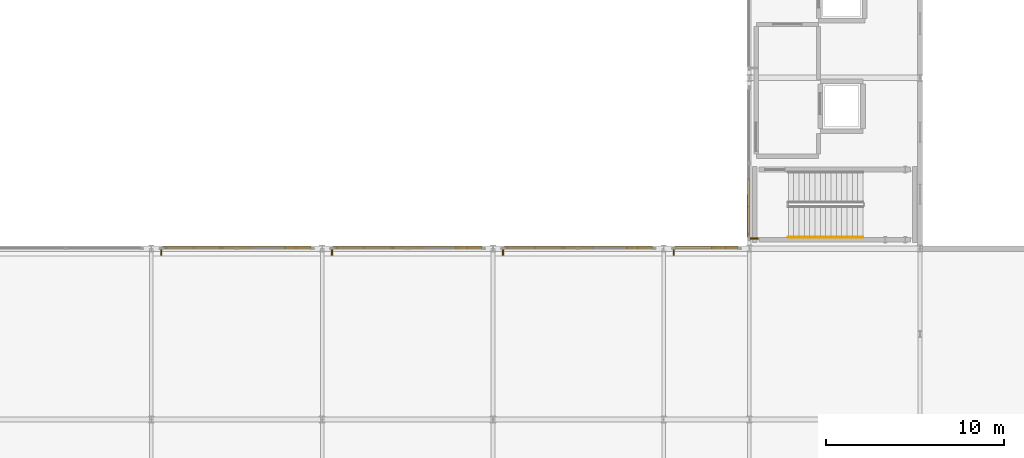
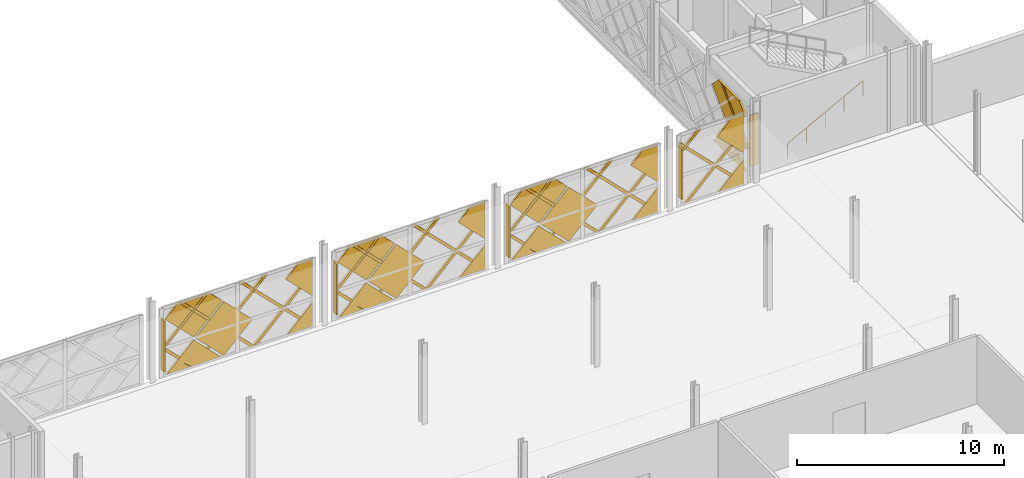
# One storey, part 60 of 77: 42 coverings, 5 shading devices, 1 railing.
"""IFC4 building model written with IfcOpenShell, lengths in metres."""

from ifc_helpers import new_model, si_unit, direction, frame, origin, origin_2d, place, context, subcontext, project, spatial, polyline, rectangle, circle, outline, extrude, material, layer, layer_set, type_object, element, save


model = new_model("IFC4")

# Units and contexts
model_context = context("Model", 3, precision=1e-05, world=origin(), true_north=direction((0.0, 1.0)))
body_context = subcontext(model_context, "Body", "Model", "MODEL_VIEW")
ifc_project = project(units=[si_unit("LENGTHUNIT", "METRE"), si_unit("AREAUNIT", "SQUARE_METRE"), si_unit("VOLUMEUNIT", "CUBIC_METRE"), si_unit("PLANEANGLEUNIT", "RADIAN"), si_unit("MASSUNIT", "GRAM", prefix="KILO")], contexts=[model_context])

# Site, building, storey
site_placement = place(None, origin())
site = spatial("IfcSite", under=ifc_project, at=site_placement, CompositionType="ELEMENT")
building_placement = place(site_placement, origin())
building = spatial("IfcBuilding", under=site, at=building_placement, Name="Zevrakil Square Congress Hotel", CompositionType="ELEMENT")
storey_placement = place(building_placement, frame((0.0, 0.0, 9.89990234375)))
storey = spatial("IfcBuildingStorey", under=building, at=storey_placement, Name="L03", CompositionType="ELEMENT", Elevation=9.89990234375)

# Coverings
ifc_material_1 = material(Name="Architectural White Fibre-C GRC", Category="concrete")
ifc_layer_1 = layer(ifc_material_1, 0.06494140625)
ifc_layer_set_1 = layer_set([ifc_layer_1], Name="Architectural White Fibre-C GRC")
covering_type_1 = type_object("IfcCoveringType", Name="COV-DIA-WHITE", PredefinedType="CLADDING", material=ifc_layer_set_1)
covering_1_placement = place(storey_placement, frame((81.969970703125, 45.695068359375, 0.080078125), z_axis=(0.0, 0.999999760125, 0.000692640526), x_axis=(1.0, 0.0, 0.0)))
element("IfcCovering", 1, at=covering_1_placement, inside=storey, type_object=covering_type_1, Name="L03 45-degree white GRC diamond facade cassette 1565", PredefinedType="CLADDING", context=body_context, shape_type="SweptSolid", body=[
    extrude(outline(polyline([(0.0, 0.0), (1.409912109375, 0.0), (1.409912109375, -1.4099124475784228), (0.0, 0.0)])), origin(), (0.0, 0.0, -1.0), 0.1201171875),
])
covering_2_placement = place(storey_placement, frame((76.760009765625, 45.694091796875, 1.590087890625), z_axis=(0.0, 0.999999790873, 0.000646725815), x_axis=(-0.707106707249, 0.000457304257, -0.707106707249)))
element("IfcCovering", 2, at=covering_2_placement, inside=storey, type_object=covering_type_1, Name="L03 45-degree white GRC diamond facade cassette 1566", PredefinedType="CLADDING", context=body_context, shape_type="SweptSolid", body=[
    extrude(outline(polyline([(0.0, 0.0), (2.1354765131557993, 0.0), (4.465861884739297e-07, -2.1354765131557527), (0.0, 0.0)])), origin(), (0.0, 0.0, -1.0), 0.1201171875),
])
covering_3_placement = place(storey_placement, frame((78.43994140625, 45.693115234375, 3.27001953125), z_axis=(0.0, 0.999999855586, 0.000537427945), x_axis=(-0.707106715531, 0.00038001898, -0.707106744725)))
element("IfcCovering", 3, at=covering_3_placement, inside=storey, type_object=covering_type_1, Name="L03 45-degree white GRC diamond facade cassette 1567", PredefinedType="CLADDING", context=body_context, shape_type="SweptSolid", body=[
    extrude(outline(polyline([(0.0, 0.0), (2.2483788020672284, 0.0), (2.248551760297992, -2.2485513427396766), (-0.00017221594923522154, -2.2485514355747194), (0.0, 0.0)])), origin(), (0.0, 0.0, -1.0), 0.1201171875),
])
covering_4_placement = place(storey_placement, frame((81.889892578125, 45.693115234375, 3.360107421875), z_axis=(6.8463888e-05, 0.999999818345, 0.00059885107), x_axis=(0.707106740618, 0.000375040409, -0.707106722297)))
element("IfcCovering", 4, at=covering_4_placement, inside=storey, type_object=covering_type_1, Name="L03 45-degree white GRC diamond facade cassette 1568", PredefinedType="CLADDING", context=body_context, shape_type="SweptSolid", body=[
    extrude(outline(polyline([(0.0, 0.0), (2.1071645237524566, 0.0), (0.597484308495914, -1.509680043501462), (-1.7130816543087235e-07, -0.9121954979388295), (0.0, 0.0)])), origin(), (0.0, 0.0, -1.0), 0.1201171875),
])
covering_5_placement = place(storey_placement, frame((75.169921875, 45.693115234375, 3.360107421875), z_axis=(0.0, 0.999999833524, 0.000577020187), x_axis=(0.707106746075, 0.000408014907, -0.707106698581)))
element("IfcCovering", 5, at=covering_5_placement, inside=storey, type_object=covering_type_1, Name="L03 45-degree white GRC diamond facade cassette 1569", PredefinedType="CLADDING", context=body_context, shape_type="SweptSolid", body=[
    extrude(outline(polyline([(0.0, 0.0), (2.2487239719466743, -2.220446049250313e-16), (2.248723748627534, -2.2487239719466636), (1.3365282562416159, -2.2487240499485552), (-1.6859136209301795e-07, -0.9121954923859064), (0.0, 0.0)])), origin(), (0.0, 0.0, -1.0), 0.1201171875),
])
covering_6_placement = place(storey_placement, frame((91.570068359375, 45.695068359375, 0.080078125), z_axis=(0.0, 0.999999760125, 0.000692640526), x_axis=(1.0, 0.0, 0.0)))
element("IfcCovering", 6, at=covering_6_placement, inside=storey, type_object=covering_type_1, Name="L03 45-degree white GRC diamond facade cassette 1607", PredefinedType="CLADDING", context=body_context, shape_type="SweptSolid", body=[
    extrude(outline(polyline([(0.0, 0.0), (1.409912109375, 0.0), (1.409912109375, -1.4099124475784228), (0.0, 0.0)])), origin(), (0.0, 0.0, -1.0), 0.1201171875),
])
covering_7_placement = place(storey_placement, frame((86.360107421875, 45.694091796875, 1.590087890625), z_axis=(0.0, 0.999999790873, 0.000646725815), x_axis=(-0.707106707249, 0.000457304257, -0.707106707249)))
element("IfcCovering", 7, at=covering_7_placement, inside=storey, type_object=covering_type_1, Name="L03 45-degree white GRC diamond facade cassette 1608", PredefinedType="CLADDING", context=body_context, shape_type="SweptSolid", body=[
    extrude(outline(polyline([(0.0, 0.0), (2.1354765131557993, 0.0), (4.465861884739297e-07, -2.1354765131557527), (0.0, 0.0)])), origin(), (0.0, 0.0, -1.0), 0.1201171875),
])
covering_8_placement = place(storey_placement, frame((88.0400390625, 45.693115234375, 3.27001953125), z_axis=(0.0, 0.999999855586, 0.000537427945), x_axis=(-0.707161001881, 0.000379989803, -0.707052454226)))
element("IfcCovering", 8, at=covering_8_placement, inside=storey, type_object=covering_type_1, Name="L03 45-degree white GRC diamond facade cassette 1609", PredefinedType="CLADDING", context=body_context, shape_type="SweptSolid", body=[
    extrude(outline(polyline([(0.0, 0.0), (2.2485514421697053, 2.220446049250313e-16), (2.2483791201710894, -2.248723969644624), (-0.00017220272677631598, -2.248378795472748), (0.0, 0.0)])), origin(), (0.0, 0.0, -1.0), 0.1201171875),
])
covering_9_placement = place(storey_placement, frame((91.489990234375, 45.693115234375, 3.360107421875), z_axis=(6.8463888e-05, 0.999999818345, 0.00059885107), x_axis=(0.707106740618, 0.000375040409, -0.707106722297)))
element("IfcCovering", 9, at=covering_9_placement, inside=storey, type_object=covering_type_1, Name="L03 45-degree white GRC diamond facade cassette 1610", PredefinedType="CLADDING", context=body_context, shape_type="SweptSolid", body=[
    extrude(outline(polyline([(0.0, 0.0), (2.1071645237524566, 0.0), (0.597484308495914, -1.509680043501462), (-1.7130816543087235e-07, -0.9121954979388295), (0.0, 0.0)])), origin(), (0.0, 0.0, -1.0), 0.1201171875),
])
covering_10_placement = place(storey_placement, frame((84.77001953125, 45.693115234375, 3.360107421875), z_axis=(0.0, 0.999999833525, 0.000577018806), x_axis=(0.707106746075, 0.000408013931, -0.707106698582)))
element("IfcCovering", 10, at=covering_10_placement, inside=storey, type_object=covering_type_1, Name="L03 45-degree white GRC diamond facade cassette 1611", PredefinedType="CLADDING", context=body_context, shape_type="SweptSolid", body=[
    extrude(outline(polyline([(0.0, 0.0), (2.2487239719468546, -4.440892098500626e-16), (2.248551115144425, -2.2485513384467715), (1.33635562275862, -2.2485514164484766), (-1.6859132201396676e-07, -0.9121954923857929), (0.0, 0.0)])), origin(), (0.0, 0.0, -1.0), 0.1201171875),
])
covering_11_placement = place(storey_placement, frame((101.169921875, 45.695068359375, 0.080078125), z_axis=(0.0, 0.999999760125, 0.000692640526), x_axis=(1.0, 0.0, 0.0)))
element("IfcCovering", 11, at=covering_11_placement, inside=storey, type_object=covering_type_1, Name="L03 45-degree white GRC diamond facade cassette 1649", PredefinedType="CLADDING", context=body_context, shape_type="SweptSolid", body=[
    extrude(outline(polyline([(0.0, 0.0), (1.41015625, 0.0), (1.41015625, -1.4099124475784226), (0.0, 0.0)])), origin(), (0.0, 0.0, -1.0), 0.1201171875),
])
covering_12_placement = place(storey_placement, frame((95.9599609375, 45.694091796875, 1.590087890625), z_axis=(0.0, 0.999999790873, 0.000646725815), x_axis=(-0.707106707249, 0.000457304257, -0.707106707249)))
element("IfcCovering", 12, at=covering_12_placement, inside=storey, type_object=covering_type_1, Name="L03 45-degree white GRC diamond facade cassette 1650", PredefinedType="CLADDING", context=body_context, shape_type="SweptSolid", body=[
    extrude(outline(polyline([(0.0, 0.0), (2.1354765131557993, 0.0), (4.465861884739297e-07, -2.1354765131557527), (0.0, 0.0)])), origin(), (0.0, 0.0, -1.0), 0.1201171875),
])
covering_13_placement = place(storey_placement, frame((97.639892578125, 45.693115234375, 3.27001953125), z_axis=(0.0, 0.999999855586, 0.000537427945), x_axis=(-0.707106715531, 0.00038001898, -0.707106744725)))
element("IfcCovering", 13, at=covering_13_placement, inside=storey, type_object=covering_type_1, Name="L03 45-degree white GRC diamond facade cassette 1651", PredefinedType="CLADDING", context=body_context, shape_type="SweptSolid", body=[
    extrude(outline(polyline([(0.0, 0.0), (2.2483788020672284, 0.0), (2.248551760297992, -2.2485513427396766), (-0.00017221594923522154, -2.2485514355747194), (0.0, 0.0)])), origin(), (0.0, 0.0, -1.0), 0.1201171875),
])
covering_14_placement = place(storey_placement, frame((101.090087890625, 45.693115234375, 3.360107421875), z_axis=(6.8463888e-05, 0.999999818345, 0.00059885107), x_axis=(0.707106740618, 0.000375040409, -0.707106722297)))
element("IfcCovering", 14, at=covering_14_placement, inside=storey, type_object=covering_type_1, Name="L03 45-degree white GRC diamond facade cassette 1652", PredefinedType="CLADDING", context=body_context, shape_type="SweptSolid", body=[
    extrude(outline(polyline([(0.0, 0.0), (2.1071645237524566, 0.0), (0.597484308495914, -1.509680043501462), (-1.7130816543087235e-07, -0.9121954979388295), (0.0, 0.0)])), origin(), (0.0, 0.0, -1.0), 0.1201171875),
])
covering_15_placement = place(storey_placement, frame((94.3701171875, 45.693115234375, 3.360107421875), z_axis=(0.0, 0.999999833523, 0.00057702221), x_axis=(0.70705245556, 0.000408047662, -0.707160984913)))
element("IfcCovering", 15, at=covering_15_placement, inside=storey, type_object=covering_type_1, Name="L03 45-degree white GRC diamond facade cassette 1653", PredefinedType="CLADDING", context=body_context, shape_type="SweptSolid", body=[
    extrude(outline(polyline([(0.0, 0.0), (2.248551345090487, -2.220446049250313e-16), (2.248378475018303, -2.248723965301739), (1.336182985314683, -2.248654009101241), (-0.00024282302249201138, -0.9120228429311016), (0.0, 0.0)])), origin(), (0.0, 0.0, -1.0), 0.1201171875),
])
covering_16_placement = place(storey_placement, frame((105.969970703125, 45.695068359375, 0.080078125), z_axis=(0.0, 0.999999760125, 0.000692640526), x_axis=(1.0, 0.0, 0.0)))
element("IfcCovering", 16, at=covering_16_placement, inside=storey, type_object=covering_type_1, Name="L03 45-degree white GRC diamond facade cassette 1686", PredefinedType="CLADDING", context=body_context, shape_type="SweptSolid", body=[
    extrude(outline(polyline([(0.0, 0.0), (1.409912109375, 0.0), (1.409912109375, -1.4099124475784228), (0.0, 0.0)])), origin(), (0.0, 0.0, -1.0), 0.1201171875),
])
covering_17_placement = place(storey_placement, frame((105.889892578125, 45.693115234375, 3.360107421875), z_axis=(0.0001333161, 0.999999753865, 0.000688837778), x_axis=(0.707106745224, 0.000392813197, -0.707106708041)))
element("IfcCovering", 17, at=covering_17_placement, inside=storey, type_object=covering_type_1, Name="L03 45-degree white GRC diamond facade cassette 1687", PredefinedType="CLADDING", context=body_context, shape_type="SweptSolid", body=[
    extrude(outline(polyline([(0.0, 0.0), (2.1071645223915034, 0.0), (0.5056432119975224, -1.6015211579884738), (0.0001723745911993424, -1.0960502781509818), (0.0, 0.0)])), origin(), (0.0, 0.0, -1.0), 0.1201171875),
])
covering_18_placement = place(storey_placement, frame((107.906005859375, 47.9599609375, 1.590087890625), z_axis=(-0.999999790873, 0.0, 0.000646725815), x_axis=(-0.000457304257, -0.707106707249, -0.707106707249)))
element("IfcCovering", 18, at=covering_18_placement, inside=storey, type_object=covering_type_1, Name="L03 45-degree white GRC diamond facade cassette 1759", PredefinedType="CLADDING", context=body_context, shape_type="SweptSolid", body=[
    extrude(outline(polyline([(0.0, 0.0), (2.1354765131557993, 0.0), (4.465861884739297e-07, -2.1354765131557527), (0.0, 0.0)])), origin(), (0.0, 0.0, -1.0), 0.1201171875),
])
covering_19_placement = place(storey_placement, frame((107.906982421875, 46.3701171875, 3.360107421875), z_axis=(-0.999999757162, 0.0, 0.000696904836), x_axis=(-0.000492824013, 0.707052425202, -0.707160961268)))
element("IfcCovering", 19, at=covering_19_placement, inside=storey, type_object=covering_type_1, Name="L03 45-degree white GRC diamond facade cassette 1762", PredefinedType="CLADDING", context=body_context, shape_type="SweptSolid", body=[
    extrude(outline(polyline([(0.0, 0.0), (2.248551441637028, -2.220446049250313e-16), (2.2483783784791886, -2.248724061826017), (1.421118549468344, -2.2486606121765194), (-6.372999569886906e-05, -0.827259828989295), (0.0, 0.0)])), origin(), (0.0, 0.0, -1.0), 0.1201171875),
])
ifc_material_2 = material(Name="Anodised Champagne Aluminium", Category="aluminium")
ifc_layer_2 = layer(ifc_material_2, 0.0849609375)
ifc_layer_set_2 = layer_set([ifc_layer_2], Name="Anodised Champagne Aluminium")
covering_type_2 = type_object("IfcCoveringType", Name="COV-DIAGRID-45", PredefinedType="MOLDING", material=ifc_layer_set_2)
covering_20_placement = place(storey_placement, frame((83.2939453125, 45.719970703125, 0.080078125), z_axis=(-0.000186814305, 0.999999885222, 0.000441199743), x_axis=(0.99999998255, 0.000186814287, 8.2422e-08)))
element("IfcCovering", 20, at=covering_20_placement, inside=storey, type_object=covering_type_2, Name="L03 45-degree aluminium diagrid rib 1570", PredefinedType="MOLDING", context=body_context, shape_type="SweptSolid", body=[
    extrude(outline(polyline([(0.0, 0.0), (0.08593749850040845, 0.0), (0.08593750890382487, -0.12622069084011384), (-3.7128906927883554, -3.9250495232532634), (-3.9250488922112385, -3.9250495232532634), (0.0, 0.0)])), origin(), (0.0, 0.0, -1.0), 0.14501953125),
])
covering_21_placement = place(storey_placement, frame((79.933837890625, 45.719970703125, 0.080078125), z_axis=(0.0, 0.999999806554, 0.000622006473), x_axis=(1.0, 0.0, 0.0)))
element("IfcCovering", 21, at=covering_21_placement, inside=storey, type_object=covering_type_2, Name="L03 45-degree aluminium diagrid rib 1571", PredefinedType="MOLDING", context=body_context, shape_type="SweptSolid", body=[
    extrude(outline(polyline([(0.0, 0.0), (0.212158203125, 0.0), (-3.712646484375, -3.9250495874103186), (-3.925048828125, -3.9250495874103186), (0.0, 0.0)])), origin(), (0.0, 0.0, -1.0), 0.14501953125),
])
covering_22_placement = place(storey_placement, frame((76.573974609375, 45.719970703125, 0.080078125), z_axis=(-0.000294139249, 0.999999913482, 0.000294139249), x_axis=(0.999999956741, 0.000294139237, 8.6518e-08)))
element("IfcCovering", 22, at=covering_22_placement, inside=storey, type_object=covering_type_2, Name="L03 45-degree aluminium diagrid rib 1572", PredefinedType="MOLDING", context=body_context, shape_type="SweptSolid", body=[
    extrude(outline(polyline([(0.0, 0.0), (0.2121581939472589, 0.0), (-1.553955145347468, -1.7661134920951609), (-1.5539551637029505, -1.5539552981479028), (0.0, 0.0)])), origin(), (0.0, 0.0, -1.0), 0.14501953125),
])
covering_23_placement = place(storey_placement, frame((83.3798828125, 45.718017578125, 3.154052734375), z_axis=(0.000307101698, 0.999999905689, 0.000307101698), x_axis=(-9.4311e-08, -0.000307101684, 0.999999952844)))
element("IfcCovering", 23, at=covering_23_placement, inside=storey, type_object=covering_type_2, Name="L03 45-degree aluminium diagrid rib 1573", PredefinedType="MOLDING", context=body_context, shape_type="SweptSolid", body=[
    extrude(outline(polyline([(0.0, 0.0), (0.21215819312052556, 2.8078904387053947e-24), (-3.073974754330517, -3.285889116734547), (-3.073974774339466, -3.0737309236140224), (0.0, 0.0)])), origin(), (0.0, 0.0, -1.0), 0.14501953125),
])
covering_24_placement = place(storey_placement, frame((80.87109375, 45.717529296875, 4.005126953125), z_axis=(0.0, 0.999999806554, 0.000622006473), x_axis=(-1.0, 0.0, 0.0)))
element("IfcCovering", 24, at=covering_24_placement, inside=storey, type_object=covering_type_2, Name="L03 45-degree aluminium diagrid rib 1574", PredefinedType="MOLDING", context=body_context, shape_type="SweptSolid", body=[
    extrude(outline(polyline([(0.0, 0.0), (0.212158203125, 0.0), (4.13720703125, -3.9250495874103186), (3.925048828125, -3.9250495874103186), (0.0, 0.0)])), origin(), (0.0, 0.0, -1.0), 0.14501953125),
])
covering_25_placement = place(storey_placement, frame((77.510986328125, 45.717529296875, 4.005126953125), z_axis=(0.0003072783, 0.999999905689, 0.000306925106), x_axis=(-0.99999995279, 0.000307278285, 9.4311e-08)))
element("IfcCovering", 25, at=covering_25_placement, inside=storey, type_object=covering_type_2, Name="L03 45-degree aluminium diagrid rib 1575", PredefinedType="MOLDING", context=body_context, shape_type="SweptSolid", body=[
    extrude(outline(polyline([(0.0, 0.0), (0.21215819310901593, -2.8078904387053947e-24), (2.4909669144734927, -2.2788089360120054), (2.490966894441524, -2.491211269757533), (0.0, 0.0)])), origin(), (0.0, 0.0, -1.0), 0.14501953125),
])
covering_26_placement = place(storey_placement, frame((92.893798828125, 45.719970703125, 0.080078125), z_axis=(-0.000186705842, 0.999999885196, 0.000441304718), x_axis=(0.99999998257, 0.000186705824, 8.2394e-08)))
element("IfcCovering", 26, at=covering_26_placement, inside=storey, type_object=covering_type_2, Name="L03 45-degree aluminium diagrid rib 1612", PredefinedType="MOLDING", context=body_context, shape_type="SweptSolid", body=[
    extrude(outline(polyline([(0.0, 0.0), (0.086181639122894, -2.2812090330563966e-24), (0.08618164952274412, -0.12622069083426724), (-3.7126465520889185, -3.92504952332774), (-3.9248047515160995, -3.92504952332774), (0.0, 0.0)])), origin(), (0.0, 0.0, -1.0), 0.14501953125),
])
covering_27_placement = place(storey_placement, frame((89.533935546875, 45.719970703125, 0.080078125), z_axis=(0.0, 0.999999806554, 0.000622006473), x_axis=(1.0, 0.0, 0.0)))
element("IfcCovering", 27, at=covering_27_placement, inside=storey, type_object=covering_type_2, Name="L03 45-degree aluminium diagrid rib 1613", PredefinedType="MOLDING", context=body_context, shape_type="SweptSolid", body=[
    extrude(outline(polyline([(0.0, 0.0), (0.212158203125, 0.0), (-3.712890625, -3.9250495874103186), (-3.925048828125, -3.9250495874103186), (0.0, 0.0)])), origin(), (0.0, 0.0, -1.0), 0.14501953125),
])
covering_28_placement = place(storey_placement, frame((86.173828125, 45.719970703125, 0.080078125), z_axis=(-0.000294160881, 0.999999913469, 0.000294160881), x_axis=(0.999999956735, 0.000294160868, 8.6531e-08)))
element("IfcCovering", 28, at=covering_28_placement, inside=storey, type_object=covering_type_2, Name="L03 45-degree aluminium diagrid rib 1614", PredefinedType="MOLDING", context=body_context, shape_type="SweptSolid", body=[
    extrude(outline(polyline([(0.0, 0.0), (0.21215819394590898, 2.8078904387053947e-24), (-1.5537110047217924, -1.7661134921050472), (-1.5537110230799749, -1.5539552981591391), (0.0, 0.0)])), origin(), (0.0, 0.0, -1.0), 0.14501953125),
])
covering_29_placement = place(storey_placement, frame((92.97998046875, 45.718017578125, 3.154052734375), z_axis=(0.00030708991, 0.999999905696, 0.00030708991), x_axis=(-9.4304e-08, -0.000307089896, 0.999999952848)))
element("IfcCovering", 29, at=covering_29_placement, inside=storey, type_object=covering_type_2, Name="L03 45-degree aluminium diagrid rib 1615", PredefinedType="MOLDING", context=body_context, shape_type="SweptSolid", body=[
    extrude(outline(polyline([(0.0, 0.0), (0.2121581931212936, 0.0), (-3.0739747543193885, -3.2861332573369064), (-3.073974774326802, -3.0739750642156136), (0.0, 0.0)])), origin(), (0.0, 0.0, -1.0), 0.14501953125),
])
covering_30_placement = place(storey_placement, frame((90.47119140625, 45.717529296875, 4.005126953125), z_axis=(0.0, 0.999999806554, 0.000622006473), x_axis=(-1.0, 0.0, 0.0)))
element("IfcCovering", 30, at=covering_30_placement, inside=storey, type_object=covering_type_2, Name="L03 45-degree aluminium diagrid rib 1616", PredefinedType="MOLDING", context=body_context, shape_type="SweptSolid", body=[
    extrude(outline(polyline([(0.0, 0.0), (0.21240234375, 0.0), (4.13720703125, -3.9250495874103186), (3.925048828125, -3.9250495874103186), (0.0, 0.0)])), origin(), (0.0, 0.0, -1.0), 0.14501953125),
])
covering_31_placement = place(storey_placement, frame((87.111083984375, 45.717529296875, 4.005126953125), z_axis=(0.0003072783, 0.999999905689, 0.000306925106), x_axis=(-0.99999995279, 0.000307278285, 9.4311e-08)))
element("IfcCovering", 31, at=covering_31_placement, inside=storey, type_object=covering_type_2, Name="L03 45-degree aluminium diagrid rib 1617", PredefinedType="MOLDING", context=body_context, shape_type="SweptSolid", body=[
    extrude(outline(polyline([(0.0, 0.0), (0.21215819310901593, -2.8078904387053947e-24), (2.4909669144734927, -2.2788089360120054), (2.490966894441524, -2.491211269757533), (0.0, 0.0)])), origin(), (0.0, 0.0, -1.0), 0.14501953125),
])
covering_32_placement = place(storey_placement, frame((102.493896484375, 45.719970703125, 0.080078125), z_axis=(-0.000186702356, 0.9999998852, 0.000441296479), x_axis=(0.999999982571, 0.000186702338, 8.2391e-08)))
element("IfcCovering", 32, at=covering_32_placement, inside=storey, type_object=covering_type_2, Name="L03 45-degree aluminium diagrid rib 1654", PredefinedType="MOLDING", context=body_context, shape_type="SweptSolid", body=[
    extrude(outline(polyline([(0.0, 0.0), (0.08618163912295008, 0.0), (0.08618164952241188, -0.12622069083472615), (-3.712890692715645, -3.9250495233218956), (-3.9250488921429643, -3.9250495233218956), (0.0, 0.0)])), origin(), (0.0, 0.0, -1.0), 0.14501953125),
])
covering_33_placement = place(storey_placement, frame((99.1337890625, 45.719970703125, 0.080078125), z_axis=(0.0, 0.999999806554, 0.000622006473), x_axis=(1.0, 0.0, 0.0)))
element("IfcCovering", 33, at=covering_33_placement, inside=storey, type_object=covering_type_2, Name="L03 45-degree aluminium diagrid rib 1655", PredefinedType="MOLDING", context=body_context, shape_type="SweptSolid", body=[
    extrude(outline(polyline([(0.0, 0.0), (0.21240234375, 0.0), (-3.712646484375, -3.9250495874103186), (-3.9248046875, -3.9250495874103186), (0.0, 0.0)])), origin(), (0.0, 0.0, -1.0), 0.14501953125),
])
covering_34_placement = place(storey_placement, frame((95.77392578125, 45.719970703125, 0.080078125), z_axis=(-0.000294139249, 0.999999913482, 0.000294139249), x_axis=(0.999999956741, 0.000294139237, 8.6518e-08)))
element("IfcCovering", 34, at=covering_34_placement, inside=storey, type_object=covering_type_2, Name="L03 45-degree aluminium diagrid rib 1656", PredefinedType="MOLDING", context=body_context, shape_type="SweptSolid", body=[
    extrude(outline(polyline([(0.0, 0.0), (0.2121581939472589, 0.0), (-1.553955145347468, -1.7661134920951609), (-1.5539551637029505, -1.5539552981479028), (0.0, 0.0)])), origin(), (0.0, 0.0, -1.0), 0.14501953125),
])
covering_35_placement = place(storey_placement, frame((102.580078125, 45.718017578125, 3.154052734375), z_axis=(0.00030708991, 0.999999905696, 0.00030708991), x_axis=(-9.4304e-08, -0.000307089896, 0.999999952848)))
element("IfcCovering", 35, at=covering_35_placement, inside=storey, type_object=covering_type_2, Name="L03 45-degree aluminium diagrid rib 1657", PredefinedType="MOLDING", context=body_context, shape_type="SweptSolid", body=[
    extrude(outline(polyline([(0.0, 0.0), (0.2121581931212936, 0.0), (-3.0739747543193885, -3.2861332573369064), (-3.073974774326802, -3.0739750642156136), (0.0, 0.0)])), origin(), (0.0, 0.0, -1.0), 0.14501953125),
])
covering_36_placement = place(storey_placement, frame((100.071044921875, 45.717529296875, 4.005126953125), z_axis=(0.0, 0.999999806554, 0.000622006473), x_axis=(-1.0, 0.0, 0.0)))
element("IfcCovering", 36, at=covering_36_placement, inside=storey, type_object=covering_type_2, Name="L03 45-degree aluminium diagrid rib 1658", PredefinedType="MOLDING", context=body_context, shape_type="SweptSolid", body=[
    extrude(outline(polyline([(0.0, 0.0), (0.212158203125, 0.0), (4.13720703125, -3.9250495874103186), (3.925048828125, -3.9250495874103186), (0.0, 0.0)])), origin(), (0.0, 0.0, -1.0), 0.14501953125),
])
covering_37_placement = place(storey_placement, frame((96.711181640625, 45.717529296875, 4.005126953125), z_axis=(0.000307093839, 0.999999905693, 0.000307093839), x_axis=(-0.999999952847, 0.000307093825, 9.4307e-08)))
element("IfcCovering", 37, at=covering_37_placement, inside=storey, type_object=covering_type_2, Name="L03 45-degree aluminium diagrid rib 1659", PredefinedType="MOLDING", context=body_context, shape_type="SweptSolid", body=[
    extrude(outline(polyline([(0.0, 0.0), (0.21240233373452555, 0.0), (2.4912110549688578, -2.2788089361411243), (2.4912110349379084, -2.4912112698756492), (0.0, 0.0)])), origin(), (0.0, 0.0, -1.0), 0.14501953125),
])
covering_38_placement = place(storey_placement, frame((107.2939453125, 45.719970703125, 0.080078125), z_axis=(0.000104053155, 0.999999756628, 0.000689867662), x_axis=(0.999999994586, -0.000104053131, -7.1783e-08)))
element("IfcCovering", 38, at=covering_38_placement, inside=storey, type_object=covering_type_2, Name="L03 45-degree aluminium diagrid rib 1688", PredefinedType="MOLDING", context=body_context, shape_type="SweptSolid", body=[
    extrude(outline(polyline([(0.0, 0.0), (0.08593749953477481, 1.137373342260413e-24), (0.08593749047428577, -0.1262206730896823), (-3.4738769702810175, -3.6860357949482765), (-3.473876980455281, -3.4738774738834497), (0.0, 0.0)])), origin(), (0.0, 0.0, -1.0), 0.14501953125),
])
covering_39_placement = place(storey_placement, frame((107.3798828125, 45.718017578125, 3.154052734375), z_axis=(0.000307101698, 0.999999905689, 0.000307101698), x_axis=(-9.4311e-08, -0.000307101684, 0.999999952844)))
element("IfcCovering", 39, at=covering_39_placement, inside=storey, type_object=covering_type_2, Name="L03 45-degree aluminium diagrid rib 1689", PredefinedType="MOLDING", context=body_context, shape_type="SweptSolid", body=[
    extrude(outline(polyline([(0.0, 0.0), (0.21215819312052556, 2.8078904387053947e-24), (-3.073974754330517, -3.285889116734547), (-3.073974774339466, -3.0737309236140224), (0.0, 0.0)])), origin(), (0.0, 0.0, -1.0), 0.14501953125),
])
covering_40_placement = place(storey_placement, frame((105.001220703125, 45.717529296875, 4.135009765625), z_axis=(-0.000291260165, 0.999999588512, 0.000859152181), x_axis=(-0.999999957584, -0.000291260057, -2.50237e-07)))
element("IfcCovering", 40, at=covering_40_placement, inside=storey, type_object=covering_type_2, Name="L03 45-degree aluminium diagrid rib 1690", PredefinedType="MOLDING", context=body_context, shape_type="SweptSolid", body=[
    extrude(outline(polyline([(0.0, 0.0), (0.21240233474069065, 0.0), (1.1811523938500468, -0.9687500619700635), (1.1811523758314275, -1.1809083965475118), (0.0, 0.0)])), origin(), (0.0, 0.0, -1.0), 0.14501953125),
])
covering_41_placement = place(storey_placement, frame((107.8798828125, 47.77392578125, 0.080078125), z_axis=(-0.999999864816, -0.000367674044, 0.000367674044), x_axis=(-0.000367674019, 0.999999932408, 1.35184e-07)))
element("IfcCovering", 41, at=covering_41_placement, inside=storey, type_object=covering_type_2, Name="L03 45-degree aluminium diagrid rib 1765", PredefinedType="MOLDING", context=body_context, shape_type="SweptSolid", body=[
    extrude(outline(polyline([(0.0, 0.0), (0.21215818878478077, 0.0), (-1.5539551831600997, -1.766113610695557), (-1.553955211840539, -1.553955421910778), (0.0, 0.0)])), origin(), (0.0, 0.0, -1.0), 0.14501953125),
])
covering_42_placement = place(storey_placement, frame((107.88232421875, 48.651123046875, 3.945068359375), z_axis=(-0.999999586122, -0.000286094891, 0.000863658765), x_axis=(0.000286094785, -0.999999959075, -2.47088e-07)))
element("IfcCovering", 42, at=covering_42_placement, inside=storey, type_object=covering_type_2, Name="L03 45-degree aluminium diagrid rib 1768", PredefinedType="MOLDING", context=body_context, shape_type="SweptSolid", body=[
    extrude(outline(polyline([(0.0, 0.0), (0.21215819444239495, 0.0), (2.4311524432452645, -2.218750226780793), (2.431152425880054, -2.4311527021688306), (0.0, 0.0)])), origin(), (0.0, 0.0, -1.0), 0.14501953125),
])

# Railing
ifc_material_3 = material(Name="Steel S355", Category="steel")
railing_type = type_object("IfcRailingType", Name="RLG-STAIR-HAND-900", PredefinedType="HANDRAIL", material=ifc_material_3)
railing_placement = place(storey_placement, frame((110.199951171875, 46.25, 0.16015625)))
element("IfcRailing", 43, at=railing_placement, inside=storey, type_object=railing_type, Name="L03 ST07 stair handrail 1", PredefinedType="HANDRAIL", context=body_context, shape_type="SweptSolid", body=[
    extrude(circle(Radius=0.02392578125, at=origin_2d()), frame((0.0, 0.0, 0.8759765625), z_axis=(0.882351521365, 0.0, 0.470590897432), x_axis=(0.0, 1.0, 0.0)), (0.0, 0.0, 1.0), 4.760009765625),
    extrude(circle(Radius=0.02099609375, at=origin_2d()), origin(), (0.0, 0.0, 1.0), 0.851806640625),
    extrude(circle(Radius=0.02099609375, at=origin_2d()), frame((1.050048828125, 0.0, 0.56005859375)), (0.0, 0.0, 1.0), 0.851806640625),
    extrude(circle(Radius=0.02099609375, at=origin_2d()), frame((2.10009765625, 0.0, 1.1201171875)), (0.0, 0.0, 1.0), 0.851806640625),
    extrude(circle(Radius=0.02099609375, at=origin_2d()), frame((3.14990234375, 0.0, 1.679931640625)), (0.0, 0.0, 1.0), 0.851806640625),
    extrude(circle(Radius=0.02099609375, at=origin_2d()), frame((4.199951171875, 0.0, 2.239990234375)), (0.0, 0.0, 1.0), 0.851806640625),
])

# Shading devices
ifc_material_4 = material(Name="Aluminium Anodised Bronze", Category="aluminium")
shading_device_type_1 = type_object("IfcShadingDeviceType", Name="SHD-FIN-35", PredefinedType="JALOUSIE", material=ifc_material_4)
for number, where, z_axis, x_axis, name in (
    (44, (74.9599609375, 45.405029296875, 0.54248046875), (0.0, 0.0, 1.0), (0.0, -1.0, 0.0), "L03 aluminium solar shading fin 73"),
    (45, (84.56005859375, 45.405029296875, 0.54248046875), (0.0, 0.0, 1.0), (0.0, -1.0, 0.0), "L03 aluminium solar shading fin 77"),
    (46, (94.159912109375, 45.405029296875, 0.54248046875), (0.0, 0.0, 1.0), (0.0, -1.0, 0.0), "L03 aluminium solar shading fin 81"),
    (47, (103.760009765625, 45.405029296875, 0.607666015625), (0.0, 0.0, 1.0), (0.0, -1.0, 0.0), "L03 aluminium solar shading fin 85"),
):
    element("IfcShadingDevice", number, at=place(storey_placement, frame(where, z_axis=z_axis, x_axis=x_axis)), inside=storey, type_object=shading_device_type_1, Name=name, PredefinedType="JALOUSIE", context=body_context, shape_type="SweptSolid", body=[
        extrude(rectangle(XDim=0.35009765625, YDim=0.080078125, at=origin_2d()), origin(), (0.0, 0.0, 1.0), 3.0),
    ])
ifc_material_5 = material(Name="Aluminium Anodised Bronze", Category="aluminium")
shading_device_type_2 = type_object("IfcShadingDeviceType", Name="SHD-FIN-50", PredefinedType="JALOUSIE", material=ifc_material_5)
shading_device_placement = place(storey_placement, frame((108.27001953125, 46.159912109375, 0.5126953125), z_axis=(0.0, 0.0, 1.0), x_axis=(1.0, 0.0, 0.0)))
element("IfcShadingDevice", 48, at=shading_device_placement, inside=storey, type_object=shading_device_type_2, Name="L03 aluminium solar shading fin 93", PredefinedType="JALOUSIE", context=body_context, shape_type="SweptSolid", body=[
    extrude(rectangle(XDim=0.5, YDim=0.080078125, at=origin_2d()), origin(), (0.0, 0.0, 1.0), 3.0),
])

save(model, "model.ifc")
